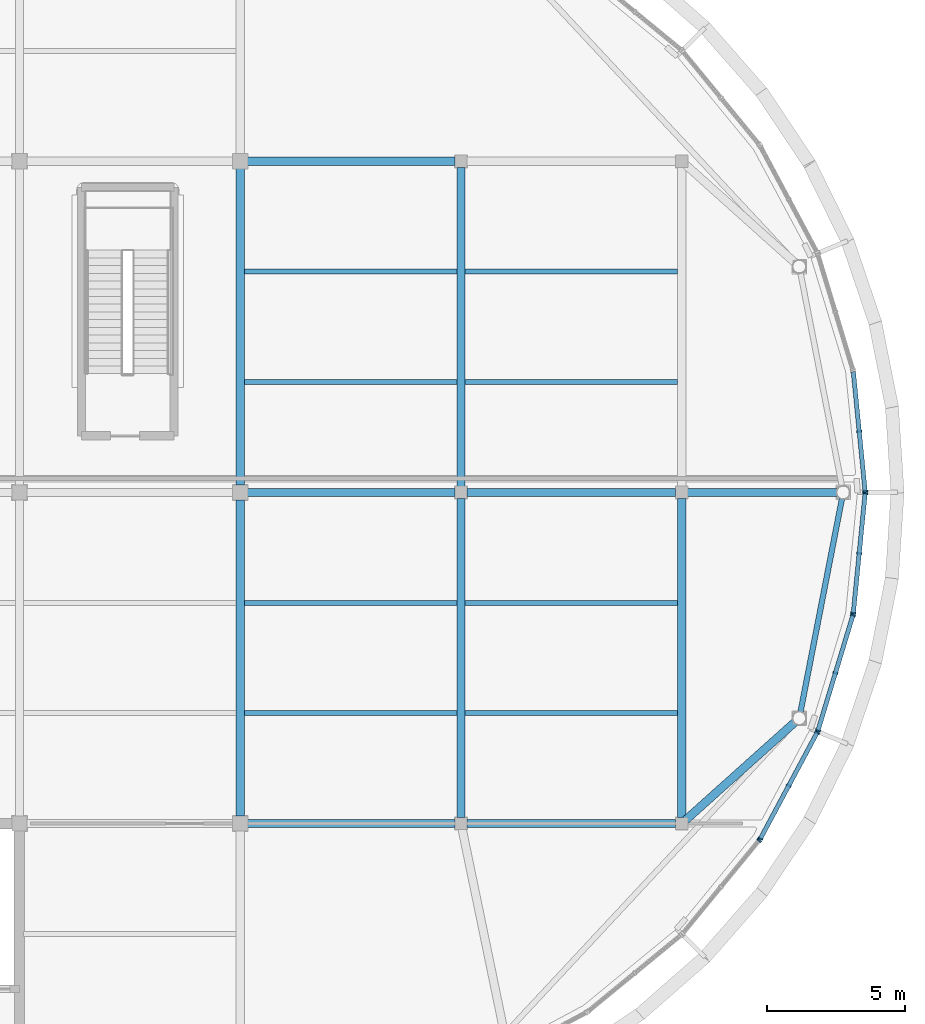
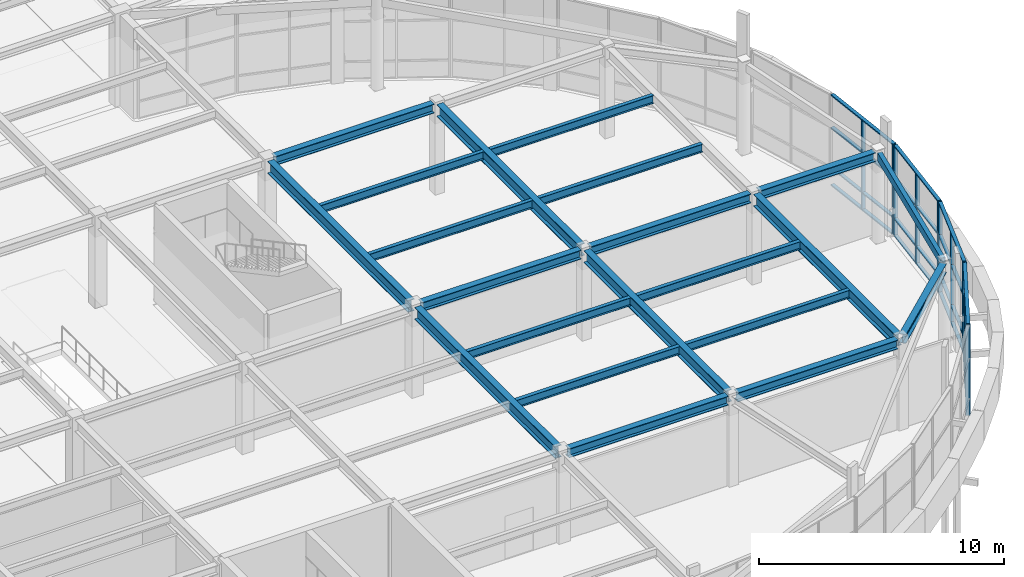
# One storey, part 27 of 63: 28 members, 21 beams, 5 elements without a shape of their own.
"""IFC4 building model written with IfcOpenShell, lengths in metres."""

from ifc_helpers import new_model, si_unit, direction, frame, origin, origin_2d, place, context, subcontext, project, spatial, rectangle, hollow_rectangle, i_section, extrude, material, layer, layer_set, material_profile, profile_set, type_object, element, aggregate, save


model = new_model("IFC4")

# Units and contexts
model_context = context("Model", 3, precision=1e-05, world=origin(), true_north=direction((0.0, 1.0)))
body_context = subcontext(model_context, "Body", "Model", "MODEL_VIEW")
ifc_project = project(units=[si_unit("LENGTHUNIT", "METRE"), si_unit("AREAUNIT", "SQUARE_METRE"), si_unit("VOLUMEUNIT", "CUBIC_METRE"), si_unit("PLANEANGLEUNIT", "RADIAN"), si_unit("MASSUNIT", "GRAM", prefix="KILO")], contexts=[model_context])

# Site, building, storey
site_placement = place(None, origin())
site = spatial("IfcSite", under=ifc_project, at=site_placement, CompositionType="ELEMENT")
building_placement = place(site_placement, origin())
building = spatial("IfcBuilding", under=site, at=building_placement, Name="Keelwater Ferry Terminal", CompositionType="ELEMENT")
storey_placement = place(building_placement, frame((0.0, 0.0, 10.199951171875)))
storey = spatial("IfcBuildingStorey", under=building, at=storey_placement, Name="L02", CompositionType="ELEMENT", Elevation=10.199951171875)

# Curtain wall, member
ifc_material_1 = material(Name="Thermally broken unitised aluminium and triple glass", Category="aluminium")
ifc_layer = layer(ifc_material_1, 0.179931640625)
ifc_layer_set = layer_set([ifc_layer], Name="Thermally broken unitised aluminium and triple glass")
curtain_wall_type = type_object("IfcCurtainWallType", Name="CW-19 Unitised Curtain Wall 4350x4480", PredefinedType="USERDEFINED", material=ifc_layer_set)
curtain_wall_1_placement = place(storey_placement, origin())
curtain_wall_1 = element("IfcCurtainWall", 1, at=curtain_wall_1_placement, inside=storey, type_object=curtain_wall_type, Name="Unitised Curtain Wall CW-L02-161", ObjectType="UNITISED CURTAIN WALL", PredefinedType="USERDEFINED")
ifc_material_2 = material(Name="Aluminium mullion", Category="aluminium")
ifc_material_profile_1 = material_profile(ifc_material_2, rectangle(XDim=0.06494140625, YDim=0.179931640625, at=origin_2d()), Name="CWM-01")
ifc_profile_set_1 = profile_set([ifc_material_profile_1], Name="Aluminium mullion")
member_type_1 = type_object("IfcMemberType", Name="CWM-01 Curtain Mullion 65x180", PredefinedType="MULLION", material=ifc_profile_set_1)
member_1_placement = place(storey_placement, frame((182.803955078125, 53.381103515625, 0.0), z_axis=(0.0, 0.0, 1.0), x_axis=(0.634376508991, 0.773024220086, 0.0)))
member_1 = element("IfcMember", 2, at=member_1_placement, type_object=member_type_1, Name="CW-L02-161 Mullion 3", PredefinedType="MULLION", context=body_context, shape_type="SweptSolid", body=[
    extrude(rectangle(XDim=0.06494140625, YDim=0.179931640625, at=origin_2d()), origin(), (0.0, 0.0, 1.0), 4.47998046875),
])
aggregate(curtain_wall_1, [member_1])

# Curtain wall, members
curtain_wall_2_placement = place(storey_placement, origin())
curtain_wall_2 = element("IfcCurtainWall", 3, at=curtain_wall_2_placement, inside=storey, type_object=curtain_wall_type, Name="Unitised Curtain Wall CW-L02-162", ObjectType="UNITISED CURTAIN WALL", PredefinedType="USERDEFINED")
member_2_placement = place(storey_placement, frame((182.85400390625, 53.4560546875, 0.0), z_axis=(0.0, 0.0, 1.0), x_axis=(0.471506749303, 0.881862452632, 0.0)))
member_2 = element("IfcMember", 4, at=member_2_placement, type_object=member_type_1, Name="CW-L02-162 Mullion 1", PredefinedType="MULLION", context=body_context, shape_type="SweptSolid", body=[
    extrude(rectangle(XDim=0.06494140625, YDim=0.179931640625, at=origin_2d()), origin(), (0.0, 0.0, 1.0), 4.47998046875),
])
member_3_placement = place(storey_placement, frame((183.87939453125, 55.3740234375, 0.0), z_axis=(0.0, 0.0, 1.0), x_axis=(0.471506749303, 0.881862452632, 0.0)))
member_3 = element("IfcMember", 5, at=member_3_placement, type_object=member_type_1, Name="CW-L02-162 Mullion 2", PredefinedType="MULLION", context=body_context, shape_type="SweptSolid", body=[
    extrude(rectangle(XDim=0.06494140625, YDim=0.179931640625, at=origin_2d()), origin(), (0.0, 0.0, 1.0), 4.47998046875),
])
member_4_placement = place(storey_placement, frame((184.905029296875, 57.2919921875, 0.0), z_axis=(0.0, 0.0, 1.0), x_axis=(0.471506749303, 0.881862452632, 0.0)))
member_4 = element("IfcMember", 6, at=member_4_placement, type_object=member_type_1, Name="CW-L02-162 Mullion 3", PredefinedType="MULLION", context=body_context, shape_type="SweptSolid", body=[
    extrude(rectangle(XDim=0.06494140625, YDim=0.179931640625, at=origin_2d()), origin(), (0.0, 0.0, 1.0), 4.47998046875),
])

curtain_wall_3_placement = place(storey_placement, origin())
curtain_wall_3 = element("IfcCurtainWall", 7, at=curtain_wall_3_placement, inside=storey, type_object=curtain_wall_type, Name="Unitised Curtain Wall CW-L02-163", ObjectType="UNITISED CURTAIN WALL", PredefinedType="USERDEFINED")
member_5_placement = place(storey_placement, frame((184.93896484375, 57.375, 0.0), z_axis=(0.0, 0.0, 1.0), x_axis=(0.290319989003, 0.956929623319, 0.0)))
member_5 = element("IfcMember", 8, at=member_5_placement, type_object=member_type_1, Name="CW-L02-163 Mullion 1", PredefinedType="MULLION", context=body_context, shape_type="SweptSolid", body=[
    extrude(rectangle(XDim=0.06494140625, YDim=0.179931640625, at=origin_2d()), origin(), (0.0, 0.0, 1.0), 4.47998046875),
])
member_6_placement = place(storey_placement, frame((185.570556640625, 59.45654296875, 0.0), z_axis=(0.0, 0.0, 1.0), x_axis=(0.290319989003, 0.956929623319, 0.0)))
member_6 = element("IfcMember", 9, at=member_6_placement, type_object=member_type_1, Name="CW-L02-163 Mullion 2", PredefinedType="MULLION", context=body_context, shape_type="SweptSolid", body=[
    extrude(rectangle(XDim=0.06494140625, YDim=0.179931640625, at=origin_2d()), origin(), (0.0, 0.0, 1.0), 4.47998046875),
])
member_7_placement = place(storey_placement, frame((186.201904296875, 61.5380859375, 0.0), z_axis=(0.0, 0.0, 1.0), x_axis=(0.290319989003, 0.956929623319, 0.0)))
member_7 = element("IfcMember", 10, at=member_7_placement, type_object=member_type_1, Name="CW-L02-163 Mullion 3", PredefinedType="MULLION", context=body_context, shape_type="SweptSolid", body=[
    extrude(rectangle(XDim=0.06494140625, YDim=0.179931640625, at=origin_2d()), origin(), (0.0, 0.0, 1.0), 4.47998046875),
])

curtain_wall_4_placement = place(storey_placement, origin())
curtain_wall_4 = element("IfcCurtainWall", 11, at=curtain_wall_4_placement, inside=storey, type_object=curtain_wall_type, Name="Unitised Curtain Wall CW-L02-164", ObjectType="UNITISED CURTAIN WALL", PredefinedType="USERDEFINED")
member_8_placement = place(storey_placement, frame((186.218994140625, 61.6259765625, 0.0), z_axis=(0.0, 0.0, 1.0), x_axis=(0.098160737969, 0.995170573079, 0.0)))
member_8 = element("IfcMember", 12, at=member_8_placement, type_object=member_type_1, Name="CW-L02-164 Mullion 1", PredefinedType="MULLION", context=body_context, shape_type="SweptSolid", body=[
    extrude(rectangle(XDim=0.06494140625, YDim=0.179931640625, at=origin_2d()), origin(), (0.0, 0.0, 1.0), 4.47998046875),
])
member_9_placement = place(storey_placement, frame((186.4326171875, 63.79052734375, 0.0), z_axis=(0.0, 0.0, 1.0), x_axis=(0.098160737969, 0.995170573079, 0.0)))
member_9 = element("IfcMember", 13, at=member_9_placement, type_object=member_type_1, Name="CW-L02-164 Mullion 2", PredefinedType="MULLION", context=body_context, shape_type="SweptSolid", body=[
    extrude(rectangle(XDim=0.06494140625, YDim=0.179931640625, at=origin_2d()), origin(), (0.0, 0.0, 1.0), 4.47998046875),
])
member_10_placement = place(storey_placement, frame((186.64599609375, 65.955078125, 0.0), z_axis=(0.0, 0.0, 1.0), x_axis=(0.098160737969, 0.995170573079, 0.0)))
member_10 = element("IfcMember", 14, at=member_10_placement, type_object=member_type_1, Name="CW-L02-164 Mullion 3", PredefinedType="MULLION", context=body_context, shape_type="SweptSolid", body=[
    extrude(rectangle(XDim=0.06494140625, YDim=0.179931640625, at=origin_2d()), origin(), (0.0, 0.0, 1.0), 4.47998046875),
])

curtain_wall_5_placement = place(storey_placement, origin())
curtain_wall_5 = element("IfcCurtainWall", 15, at=curtain_wall_5_placement, inside=storey, type_object=curtain_wall_type, Name="Unitised Curtain Wall CW-L02-165", ObjectType="UNITISED CURTAIN WALL", PredefinedType="USERDEFINED")
member_11_placement = place(storey_placement, frame((186.64599609375, 66.044921875, 0.0), z_axis=(0.0, 0.0, 1.0), x_axis=(-0.098160737969, 0.995170573079, 0.0)))
member_11 = element("IfcMember", 16, at=member_11_placement, type_object=member_type_1, Name="CW-L02-165 Mullion 1", PredefinedType="MULLION", context=body_context, shape_type="SweptSolid", body=[
    extrude(rectangle(XDim=0.06494140625, YDim=0.179931640625, at=origin_2d()), origin(), (0.0, 0.0, 1.0), 4.47998046875),
])
member_12_placement = place(storey_placement, frame((186.4326171875, 68.20947265625, 0.0), z_axis=(0.0, 0.0, 1.0), x_axis=(-0.098160737969, 0.995170573079, 0.0)))
member_12 = element("IfcMember", 17, at=member_12_placement, type_object=member_type_1, Name="CW-L02-165 Mullion 2", PredefinedType="MULLION", context=body_context, shape_type="SweptSolid", body=[
    extrude(rectangle(XDim=0.06494140625, YDim=0.179931640625, at=origin_2d()), origin(), (0.0, 0.0, 1.0), 4.47998046875),
])

# Member
ifc_material_3 = material(Name="Aluminium mullion", Category="aluminium")
ifc_material_profile_2 = material_profile(ifc_material_3, rectangle(XDim=0.159912109375, YDim=0.06494140625, at=origin_2d()), Name="CWT-01")
ifc_profile_set_2 = profile_set([ifc_material_profile_2], Name="Aluminium mullion")
member_type_2 = type_object("IfcMemberType", Name="CWT-01 Curtain Transom 65x160", PredefinedType="USERDEFINED", material=ifc_profile_set_2)
member_13_placement = place(storey_placement, frame((182.85400390625, 53.4560546875, 0.0), z_axis=(0.471517263122, 0.881856831112, 0.0), x_axis=(-0.881856831112, 0.471517263122, 0.0)))
member_13 = element("IfcMember", 18, at=member_13_placement, type_object=member_type_2, Name="CW-L02-162 Transom 1", ObjectType="TRANSOM", PredefinedType="USERDEFINED", context=body_context, shape_type="SweptSolid", body=[
    extrude(rectangle(XDim=0.159912109375, YDim=0.06494140625, at=origin_2d()), origin(), (0.0, 0.0, 1.0), 4.349853515625),
])

member_14_placement = place(storey_placement, frame((182.85400390625, 53.4560546875, 0.85009765625), z_axis=(0.471517263122, 0.881856831112, 0.0), x_axis=(-0.881856831112, 0.471517263122, 0.0)))
member_14 = element("IfcMember", 19, at=member_14_placement, type_object=member_type_2, Name="CW-L02-162 Transom 2", ObjectType="TRANSOM", PredefinedType="USERDEFINED", context=body_context, shape_type="SweptSolid", body=[
    extrude(rectangle(XDim=0.159912109375, YDim=0.06494140625, at=origin_2d()), origin(), (0.0, 0.0, 1.0), 4.349853515625),
])

member_15_placement = place(storey_placement, frame((182.85400390625, 53.4560546875, 2.85009765625), z_axis=(0.471517263122, 0.881856831112, 0.0), x_axis=(-0.881856831112, 0.471517263122, 0.0)))
member_15 = element("IfcMember", 20, at=member_15_placement, type_object=member_type_2, Name="CW-L02-162 Transom 3", ObjectType="TRANSOM", PredefinedType="USERDEFINED", context=body_context, shape_type="SweptSolid", body=[
    extrude(rectangle(XDim=0.159912109375, YDim=0.06494140625, at=origin_2d()), origin(), (0.0, 0.0, 1.0), 4.349853515625),
])

member_16_placement = place(storey_placement, frame((182.85400390625, 53.4560546875, 4.47998046875), z_axis=(0.471517263122, 0.881856831112, 0.0), x_axis=(-0.881856831112, 0.471517263122, 0.0)))
member_16 = element("IfcMember", 21, at=member_16_placement, type_object=member_type_2, Name="CW-L02-162 Transom 4", ObjectType="TRANSOM", PredefinedType="USERDEFINED", context=body_context, shape_type="SweptSolid", body=[
    extrude(rectangle(XDim=0.159912109375, YDim=0.06494140625, at=origin_2d()), origin(), (0.0, 0.0, 1.0), 4.349853515625),
])

aggregate(curtain_wall_2, [member_2, member_3, member_4, member_13, member_14, member_15, member_16])

member_17_placement = place(storey_placement, frame((184.93896484375, 57.375, 0.0), z_axis=(0.290301756665, 0.956935154583, 0.0), x_axis=(-0.956935154583, 0.290301756665, 0.0)))
member_17 = element("IfcMember", 22, at=member_17_placement, type_object=member_type_2, Name="CW-L02-163 Transom 1", ObjectType="TRANSOM", PredefinedType="USERDEFINED", context=body_context, shape_type="SweptSolid", body=[
    extrude(rectangle(XDim=0.159912109375, YDim=0.06494140625, at=origin_2d()), origin(), (0.0, 0.0, 1.0), 4.350341796875),
])

member_18_placement = place(storey_placement, frame((184.93896484375, 57.375, 0.85009765625), z_axis=(0.290301756665, 0.956935154583, 0.0), x_axis=(-0.956935154583, 0.290301756665, 0.0)))
member_18 = element("IfcMember", 23, at=member_18_placement, type_object=member_type_2, Name="CW-L02-163 Transom 2", ObjectType="TRANSOM", PredefinedType="USERDEFINED", context=body_context, shape_type="SweptSolid", body=[
    extrude(rectangle(XDim=0.159912109375, YDim=0.06494140625, at=origin_2d()), origin(), (0.0, 0.0, 1.0), 4.350341796875),
])

member_19_placement = place(storey_placement, frame((184.93896484375, 57.375, 2.85009765625), z_axis=(0.290301756665, 0.956935154583, 0.0), x_axis=(-0.956935154583, 0.290301756665, 0.0)))
member_19 = element("IfcMember", 24, at=member_19_placement, type_object=member_type_2, Name="CW-L02-163 Transom 3", ObjectType="TRANSOM", PredefinedType="USERDEFINED", context=body_context, shape_type="SweptSolid", body=[
    extrude(rectangle(XDim=0.159912109375, YDim=0.06494140625, at=origin_2d()), origin(), (0.0, 0.0, 1.0), 4.350341796875),
])

member_20_placement = place(storey_placement, frame((184.93896484375, 57.375, 4.47998046875), z_axis=(0.290301756665, 0.956935154583, 0.0), x_axis=(-0.956935154583, 0.290301756665, 0.0)))
member_20 = element("IfcMember", 25, at=member_20_placement, type_object=member_type_2, Name="CW-L02-163 Transom 4", ObjectType="TRANSOM", PredefinedType="USERDEFINED", context=body_context, shape_type="SweptSolid", body=[
    extrude(rectangle(XDim=0.159912109375, YDim=0.06494140625, at=origin_2d()), origin(), (0.0, 0.0, 1.0), 4.350341796875),
])

aggregate(curtain_wall_3, [member_5, member_6, member_7, member_17, member_18, member_19, member_20])

member_21_placement = place(storey_placement, frame((186.218994140625, 61.6259765625, 0.0), z_axis=(0.098158901932, 0.995170754178, 0.0), x_axis=(-0.995170754178, 0.098158901932, 0.0)))
member_21 = element("IfcMember", 26, at=member_21_placement, type_object=member_type_2, Name="CW-L02-164 Transom 1", ObjectType="TRANSOM", PredefinedType="USERDEFINED", context=body_context, shape_type="SweptSolid", body=[
    extrude(rectangle(XDim=0.159912109375, YDim=0.06494140625, at=origin_2d()), origin(), (0.0, 0.0, 1.0), 4.35009765625),
])

member_22_placement = place(storey_placement, frame((186.218994140625, 61.6259765625, 0.85009765625), z_axis=(0.098158901932, 0.995170754178, 0.0), x_axis=(-0.995170754178, 0.098158901932, 0.0)))
member_22 = element("IfcMember", 27, at=member_22_placement, type_object=member_type_2, Name="CW-L02-164 Transom 2", ObjectType="TRANSOM", PredefinedType="USERDEFINED", context=body_context, shape_type="SweptSolid", body=[
    extrude(rectangle(XDim=0.159912109375, YDim=0.06494140625, at=origin_2d()), origin(), (0.0, 0.0, 1.0), 4.35009765625),
])

member_23_placement = place(storey_placement, frame((186.218994140625, 61.6259765625, 2.85009765625), z_axis=(0.098158901932, 0.995170754178, 0.0), x_axis=(-0.995170754178, 0.098158901932, 0.0)))
member_23 = element("IfcMember", 28, at=member_23_placement, type_object=member_type_2, Name="CW-L02-164 Transom 3", ObjectType="TRANSOM", PredefinedType="USERDEFINED", context=body_context, shape_type="SweptSolid", body=[
    extrude(rectangle(XDim=0.159912109375, YDim=0.06494140625, at=origin_2d()), origin(), (0.0, 0.0, 1.0), 4.35009765625),
])

member_24_placement = place(storey_placement, frame((186.218994140625, 61.6259765625, 4.47998046875), z_axis=(0.098158901932, 0.995170754178, 0.0), x_axis=(-0.995170754178, 0.098158901932, 0.0)))
member_24 = element("IfcMember", 29, at=member_24_placement, type_object=member_type_2, Name="CW-L02-164 Transom 4", ObjectType="TRANSOM", PredefinedType="USERDEFINED", context=body_context, shape_type="SweptSolid", body=[
    extrude(rectangle(XDim=0.159912109375, YDim=0.06494140625, at=origin_2d()), origin(), (0.0, 0.0, 1.0), 4.35009765625),
])

aggregate(curtain_wall_4, [member_8, member_9, member_10, member_21, member_22, member_23, member_24])

member_25_placement = place(storey_placement, frame((186.64599609375, 66.044921875, 0.0), z_axis=(-0.098158901932, 0.995170754178, 0.0), x_axis=(-0.995170754178, -0.098158901932, 0.0)))
member_25 = element("IfcMember", 30, at=member_25_placement, type_object=member_type_2, Name="CW-L02-165 Transom 1", ObjectType="TRANSOM", PredefinedType="USERDEFINED", context=body_context, shape_type="SweptSolid", body=[
    extrude(rectangle(XDim=0.159912109375, YDim=0.06494140625, at=origin_2d()), origin(), (0.0, 0.0, 1.0), 4.35009765625),
])

member_26_placement = place(storey_placement, frame((186.64599609375, 66.044921875, 0.85009765625), z_axis=(-0.098158901932, 0.995170754178, 0.0), x_axis=(-0.995170754178, -0.098158901932, 0.0)))
member_26 = element("IfcMember", 31, at=member_26_placement, type_object=member_type_2, Name="CW-L02-165 Transom 2", ObjectType="TRANSOM", PredefinedType="USERDEFINED", context=body_context, shape_type="SweptSolid", body=[
    extrude(rectangle(XDim=0.159912109375, YDim=0.06494140625, at=origin_2d()), origin(), (0.0, 0.0, 1.0), 4.35009765625),
])

member_27_placement = place(storey_placement, frame((186.64599609375, 66.044921875, 2.85009765625), z_axis=(-0.098158901932, 0.995170754178, 0.0), x_axis=(-0.995170754178, -0.098158901932, 0.0)))
member_27 = element("IfcMember", 32, at=member_27_placement, type_object=member_type_2, Name="CW-L02-165 Transom 3", ObjectType="TRANSOM", PredefinedType="USERDEFINED", context=body_context, shape_type="SweptSolid", body=[
    extrude(rectangle(XDim=0.159912109375, YDim=0.06494140625, at=origin_2d()), origin(), (0.0, 0.0, 1.0), 4.35009765625),
])

member_28_placement = place(storey_placement, frame((186.64599609375, 66.044921875, 4.47998046875), z_axis=(-0.098158901932, 0.995170754178, 0.0), x_axis=(-0.995170754178, -0.098158901932, 0.0)))
member_28 = element("IfcMember", 33, at=member_28_placement, type_object=member_type_2, Name="CW-L02-165 Transom 4", ObjectType="TRANSOM", PredefinedType="USERDEFINED", context=body_context, shape_type="SweptSolid", body=[
    extrude(rectangle(XDim=0.159912109375, YDim=0.06494140625, at=origin_2d()), origin(), (0.0, 0.0, 1.0), 4.35009765625),
])

aggregate(curtain_wall_5, [member_11, member_12, member_25, member_26, member_27, member_28])

# Beams
ifc_material_4 = material(Name="Steel S355", Category="steel")
ifc_material_profile_3 = material_profile(ifc_material_4, i_section(OverallWidth=0.300048828125, OverallDepth=0.60009765625, WebThickness=0.015380859375, FlangeThickness=0.030029296875, at=origin_2d()), Name="HEB 600")
ifc_profile_set_3 = profile_set([ifc_material_profile_3], Name="Steel S355")
beam_type_1 = type_object("IfcBeamType", Name="G3 HEB 600", PredefinedType="BEAM", material=ifc_profile_set_3)
for number, where, z_axis, x_axis, name in (
    (34, (164.0, 54.27001953125, 4.219970703125), (0.0, 1.0, 0.0), (-1.0, 0.0, 0.0), "Beam BM-L02-1130"),
    (35, (164.0, 66.27001953125, 4.219970703125), (0.0, 1.0, 0.0), (-1.0, 0.0, 0.0), "Beam BM-L02-1131"),
):
    element("IfcBeam", number, at=place(storey_placement, frame(where, z_axis=z_axis, x_axis=x_axis)), inside=storey, type_object=beam_type_1, Name=name, PredefinedType="BEAM", context=body_context, shape_type="SweptSolid", body=[
        extrude(i_section(OverallWidth=0.300048828125, OverallDepth=0.60009765625, WebThickness=0.015380859375, FlangeThickness=0.030029296875, at=origin_2d()), origin(), (0.0, 0.0, 1.0), 11.4599609375),
    ])
ifc_material_5 = material(Name="Steel S355", Category="steel")
ifc_material_profile_4 = material_profile(ifc_material_5, i_section(OverallWidth=0.300048828125, OverallDepth=0.60009765625, WebThickness=0.015380859375, FlangeThickness=0.030029296875, at=origin_2d()), Name="HEB 600")
ifc_profile_set_4 = profile_set([ifc_material_profile_4], Name="Steel S355")
beam_type_2 = type_object("IfcBeamType", Name="G3E HEB 600", PredefinedType="BEAM", material=ifc_profile_set_4)
for number, where, z_axis, x_axis, name in (
    (36, (172.0, 54.219970703125, 4.219970703125), (0.0, 1.0, 0.0), (-1.0, 0.0, 0.0), "Beam BM-L02-1136"),
    (37, (172.0, 66.219970703125, 4.219970703125), (0.0, 1.0, 0.0), (-1.0, 0.0, 0.0), "Beam BM-L02-1137"),
    (38, (180.0, 54.219970703125, 4.219970703125), (0.0, 1.0, 0.0), (-1.0, 0.0, 0.0), "Beam BM-L02-1142"),
):
    element("IfcBeam", number, at=place(storey_placement, frame(where, z_axis=z_axis, x_axis=x_axis)), inside=storey, type_object=beam_type_2, Name=name, PredefinedType="BEAM", context=body_context, shape_type="SweptSolid", body=[
        extrude(i_section(OverallWidth=0.300048828125, OverallDepth=0.60009765625, WebThickness=0.015380859375, FlangeThickness=0.030029296875, at=origin_2d()), origin(), (0.0, 0.0, 1.0), 11.56005859375),
    ])
ifc_material_6 = material(Name="Steel S355", Category="steel")
ifc_material_profile_5 = material_profile(ifc_material_6, i_section(OverallWidth=0.300048828125, OverallDepth=0.449951171875, WebThickness=0.013916015625, FlangeThickness=0.02587890625, at=origin_2d()), Name="HEB 450")
ifc_profile_set_5 = profile_set([ifc_material_profile_5], Name="Steel S355")
beam_type_3 = type_object("IfcBeamType", Name="G6 HEB 450", PredefinedType="BEAM", material=ifc_profile_set_5)
beam_1_placement = place(storey_placement, frame((164.27001953125, 54.0, 4.295166015625), z_axis=(1.0, 0.0, 0.0), x_axis=(0.0, 1.0, 0.0)))
element("IfcBeam", 39, at=beam_1_placement, inside=storey, type_object=beam_type_3, Name="Beam BM-L02-1005", PredefinedType="BEAM", context=body_context, shape_type="SweptSolid", body=[
    extrude(i_section(OverallWidth=0.300048828125, OverallDepth=0.449951171875, WebThickness=0.013916015625, FlangeThickness=0.02587890625, at=origin_2d()), origin(), (0.0, 0.0, 1.0), 7.510009765625),
])
beam_2_placement = place(storey_placement, frame((172.219970703125, 54.0, 4.295166015625), z_axis=(1.0, 0.0, 0.0), x_axis=(0.0, 1.0, 0.0)))
element("IfcBeam", 40, at=beam_2_placement, inside=storey, type_object=beam_type_3, Name="Beam BM-L02-1006", PredefinedType="BEAM", context=body_context, shape_type="SweptSolid", body=[
    extrude(i_section(OverallWidth=0.300048828125, OverallDepth=0.449951171875, WebThickness=0.013916015625, FlangeThickness=0.02587890625, at=origin_2d()), origin(), (0.0, 0.0, 1.0), 7.56005859375),
])
beam_3_placement = place(storey_placement, frame((164.27001953125, 66.0, 4.295166015625), z_axis=(1.0, 0.0, 0.0), x_axis=(0.0, 1.0, 0.0)))
element("IfcBeam", 41, at=beam_3_placement, inside=storey, type_object=beam_type_3, Name="Beam BM-L02-1016", PredefinedType="BEAM", context=body_context, shape_type="SweptSolid", body=[
    extrude(i_section(OverallWidth=0.300048828125, OverallDepth=0.449951171875, WebThickness=0.013916015625, FlangeThickness=0.02587890625, at=origin_2d()), origin(), (0.0, 0.0, 1.0), 7.510009765625),
])
beam_4_placement = place(storey_placement, frame((172.219970703125, 66.0, 4.295166015625), z_axis=(1.0, 0.0, 0.0), x_axis=(0.0, 1.0, 0.0)))
element("IfcBeam", 42, at=beam_4_placement, inside=storey, type_object=beam_type_3, Name="Beam BM-L02-1017", PredefinedType="BEAM", context=body_context, shape_type="SweptSolid", body=[
    extrude(i_section(OverallWidth=0.300048828125, OverallDepth=0.449951171875, WebThickness=0.013916015625, FlangeThickness=0.02587890625, at=origin_2d()), origin(), (0.0, 0.0, 1.0), 7.56005859375),
])
beam_5_placement = place(storey_placement, frame((164.27001953125, 78.0, 4.295166015625), z_axis=(1.0, 0.0, 0.0), x_axis=(0.0, 1.0, 0.0)))
element("IfcBeam", 43, at=beam_5_placement, inside=storey, type_object=beam_type_3, Name="Beam BM-L02-1027", PredefinedType="BEAM", context=body_context, shape_type="SweptSolid", body=[
    extrude(i_section(OverallWidth=0.300048828125, OverallDepth=0.449951171875, WebThickness=0.013916015625, FlangeThickness=0.02587890625, at=origin_2d()), origin(), (0.0, 0.0, 1.0), 7.510009765625),
])
beam_6_placement = place(storey_placement, frame((185.659912109375, 66.0, 4.295166015625), z_axis=(-1.0, 0.0, 0.0), x_axis=(0.0, -1.0, 0.0)))
element("IfcBeam", 44, at=beam_6_placement, inside=storey, type_object=beam_type_3, Name="Beam BM-L02-1282", PredefinedType="BEAM", context=body_context, shape_type="SweptSolid", body=[
    extrude(i_section(OverallWidth=0.300048828125, OverallDepth=0.449951171875, WebThickness=0.013916015625, FlangeThickness=0.02587890625, at=origin_2d()), origin(), (0.0, 0.0, 1.0), 5.469970703125),
])
beam_7_placement = place(storey_placement, frame((184.116943359375, 57.68798828125, 4.295166015625), z_axis=(-0.74481402032, -0.667272114759, 0.0), x_axis=(0.667272114759, -0.74481402032, 0.0)))
element("IfcBeam", 45, at=beam_7_placement, inside=storey, type_object=beam_type_3, Name="Beam BM-L02-1283", PredefinedType="BEAM", context=body_context, shape_type="SweptSolid", body=[
    extrude(i_section(OverallWidth=0.300048828125, OverallDepth=0.449951171875, WebThickness=0.013916015625, FlangeThickness=0.02587890625, at=origin_2d()), origin(), (0.0, 0.0, 1.0), 5.336669921875),
])
ifc_material_7 = material(Name="Steel S355", Category="steel")
ifc_material_profile_6 = material_profile(ifc_material_7, i_section(OverallWidth=0.179931640625, OverallDepth=0.39990234375, WebThickness=0.008544921875, FlangeThickness=0.013427734375, at=origin_2d()), Name="IPE 400")
ifc_profile_set_6 = profile_set([ifc_material_profile_6], Name="Steel S355")
beam_type_4 = type_object("IfcBeamType", Name="J5 IPE 400", PredefinedType="JOIST", material=ifc_profile_set_6)
for number, where, z_axis, x_axis, name in (
    (46, (164.14990234375, 58.0, 4.320068359375), (1.0, 0.0, 0.0), (0.0, 1.0, 0.0), "Beam BM-L02-1243"),
    (47, (164.14990234375, 62.0, 4.320068359375), (1.0, 0.0, 0.0), (0.0, 1.0, 0.0), "Beam BM-L02-1244"),
    (48, (164.14990234375, 70.0, 4.320068359375), (1.0, 0.0, 0.0), (0.0, 1.0, 0.0), "Beam BM-L02-1245"),
    (49, (164.14990234375, 74.0, 4.320068359375), (1.0, 0.0, 0.0), (0.0, 1.0, 0.0), "Beam BM-L02-1246"),
    (50, (172.14990234375, 58.0, 4.320068359375), (1.0, 0.0, 0.0), (0.0, 1.0, 0.0), "Beam BM-L02-1253"),
    (51, (172.14990234375, 62.0, 4.320068359375), (1.0, 0.0, 0.0), (0.0, 1.0, 0.0), "Beam BM-L02-1254"),
    (52, (172.14990234375, 70.0, 4.320068359375), (1.0, 0.0, 0.0), (0.0, 1.0, 0.0), "Beam BM-L02-1255"),
    (53, (172.14990234375, 74.0, 4.320068359375), (1.0, 0.0, 0.0), (0.0, 1.0, 0.0), "Beam BM-L02-1256"),
):
    element("IfcBeam", number, at=place(storey_placement, frame(where, z_axis=z_axis, x_axis=x_axis)), inside=storey, type_object=beam_type_4, Name=name, PredefinedType="JOIST", context=body_context, shape_type="SweptSolid", body=[
        extrude(i_section(OverallWidth=0.179931640625, OverallDepth=0.39990234375, WebThickness=0.008544921875, FlangeThickness=0.013427734375, at=origin_2d()), origin(), (0.0, 0.0, 1.0), 7.7001953125),
    ])
ifc_material_8 = material(Name="Steel S355", Category="steel")
ifc_material_profile_7 = material_profile(ifc_material_8, hollow_rectangle(XDim=0.199951171875, YDim=0.39990234375, WallThickness=0.01611328125, at=origin_2d()), Name="RHS 400x200x16")
ifc_profile_set_7 = profile_set([ifc_material_profile_7], Name="Steel S355")
beam_type_5 = type_object("IfcBeamType", Name="SP3E RHS 400x200x16", PredefinedType="SPANDREL", material=ifc_profile_set_7)
beam_8_placement = place(storey_placement, frame((185.81396484375, 65.81298828125, 4.320068359375), z_axis=(-0.190897579934, -0.981609960206, 0.0), x_axis=(0.981609960206, -0.190897579934, 0.0)))
element("IfcBeam", 54, at=beam_8_placement, inside=storey, type_object=beam_type_5, Name="Beam BM-L02-1278", PredefinedType="SPANDREL", context=body_context, shape_type="SweptSolid", body=[
    extrude(hollow_rectangle(XDim=0.199951171875, YDim=0.39990234375, WallThickness=0.01611328125, at=origin_2d()), origin(), (0.0, 0.0, 1.0), 7.957275390625),
])

save(model, "model.ifc")
